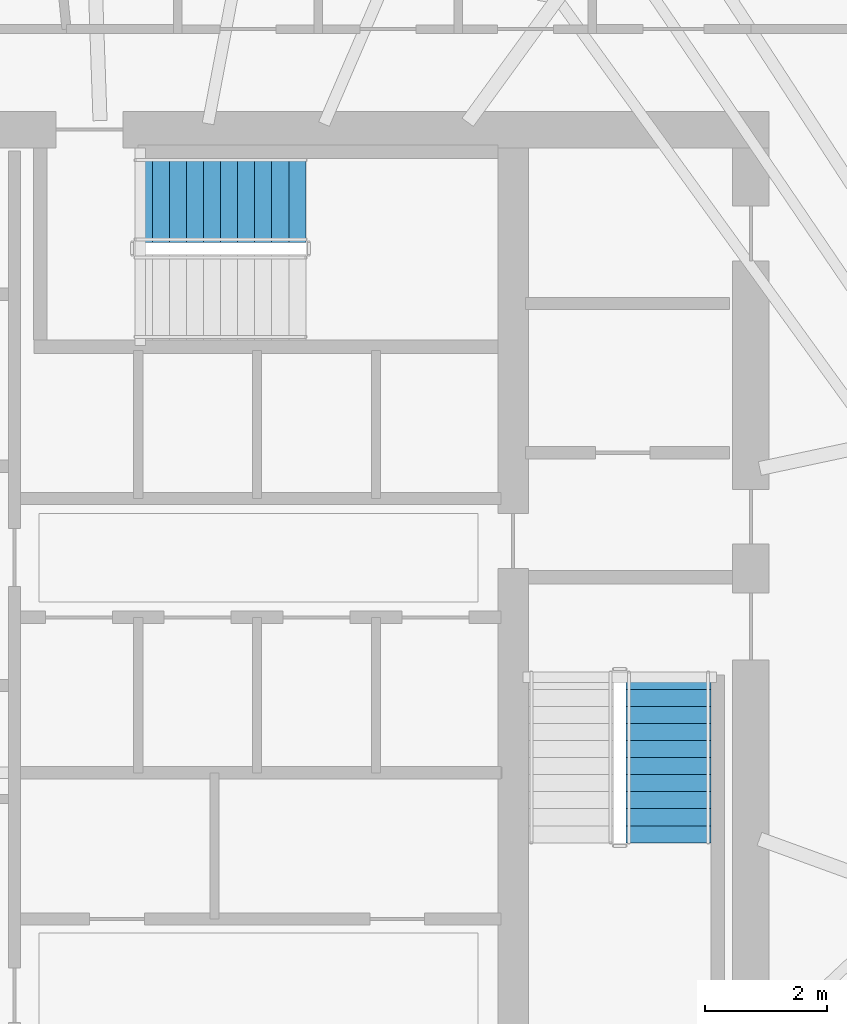
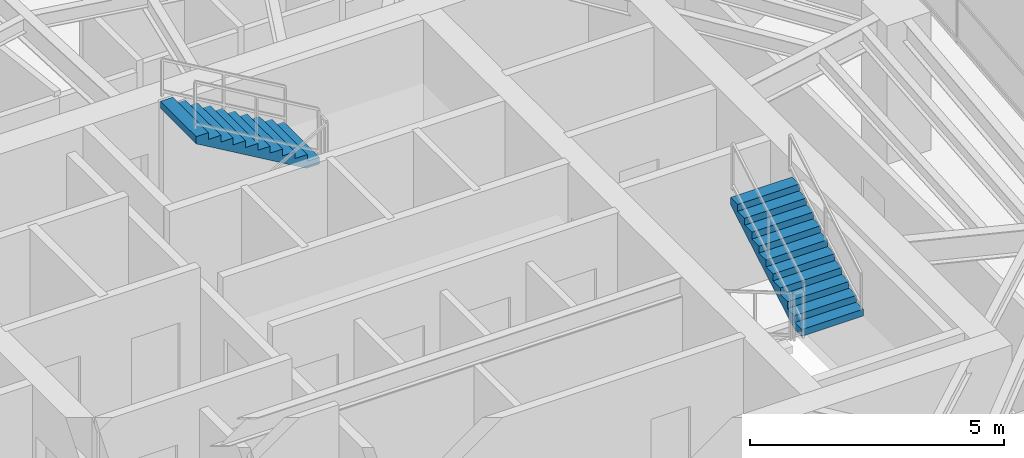
# One storey, part 19 of 21: 2 stair flights, 2 elements without a shape of their own.
"""IFC4 building model written with IfcOpenShell, lengths in metres."""

from ifc_helpers import new_model, si_unit, direction, frame, origin, place, context, subcontext, project, spatial, polyline, outline, extrude, material, type_object, element, aggregate, save


model = new_model("IFC4")

# Units and contexts
model_context = context("Model", 3, precision=1e-05, world=origin(), true_north=direction((0.0, 1.0)))
body_context = subcontext(model_context, "Body", "Model", "MODEL_VIEW")
ifc_project = project(units=[si_unit("LENGTHUNIT", "METRE"), si_unit("AREAUNIT", "SQUARE_METRE"), si_unit("VOLUMEUNIT", "CUBIC_METRE"), si_unit("PLANEANGLEUNIT", "RADIAN"), si_unit("MASSUNIT", "GRAM", prefix="KILO")], contexts=[model_context])

# Site, building, storey
site_placement = place(None, origin())
site = spatial("IfcSite", under=ifc_project, at=site_placement, CompositionType="ELEMENT")
building_placement = place(site_placement, origin())
building = spatial("IfcBuilding", under=site, at=building_placement, Name="Qarnah Convention Tower", CompositionType="ELEMENT")
storey_placement = place(building_placement, frame((0.0, 0.0, 165.300048828125)))
storey = spatial("IfcBuildingStorey", under=building, at=storey_placement, Name="L44", CompositionType="ELEMENT", Elevation=165.300048828125)

# Stair, stair flight
ifc_material = material(Name="Concrete C50/60", Category="concrete")
stair_type = type_object("IfcStairType", Name="STR-OFF", PredefinedType="HALF_TURN_STAIR", material=ifc_material)
stair_1_placement = place(storey_placement, origin())
stair_1 = element("IfcStair", 1, at=stair_1_placement, inside=storey, type_object=stair_type, Name="L44 Core exit stair ST-2", PredefinedType="HALF_TURN_STAIR")
stair_flight_type = type_object("IfcStairFlightType", Name="FLT-OFF", PredefinedType="STRAIGHT", material=ifc_material)
stair_flight_1_placement = place(storey_placement, frame((46.25, 22.5, 1.800048828125), z_axis=(0.0, 0.0, 1.0), x_axis=(0.0, 1.0, 0.0)))
stair_flight_1 = element("IfcStairFlight", 2, at=stair_flight_1_placement, type_object=stair_flight_type, Name="ST-2 flight 2", NumberOfRisers=11, NumberOfTreads=10, PredefinedType="STRAIGHT", RiserHeight=0.163636364, TreadLength=0.28, context=body_context, shape_type="SweptSolid", body=[
    extrude(outline(polyline([(0.0, 0.0), (0.0, 0.16357421875), (0.280029296875, 0.16357421875), (0.280029296875, 0.327392578125), (0.56005859375, 0.327392578125), (0.56005859375, 0.490966796875), (0.840087890625, 0.490966796875), (0.840087890625, 0.654541015625), (1.1201171875, 0.654541015625), (1.1201171875, 0.818115234375), (1.39990234375, 0.818115234375), (1.39990234375, 0.98193359375), (1.679931640625, 0.98193359375), (1.679931640625, 1.1455078125), (1.9599609375, 1.1455078125), (1.9599609375, 1.30908203125), (2.239990234375, 1.30908203125), (2.239990234375, 1.47265625), (2.52001953125, 1.47265625), (2.52001953125, 1.636474609375), (2.800048828125, 1.636474609375), (2.800048828125, 1.800048828125), (2.800048828125, 1.462646484375), (0.297119140625, 0.0), (0.0, 0.0)])), frame((0.0, 0.699951171875, 0.0), z_axis=(0.0, -1.0, 0.0), x_axis=(1.0, 0.0, 0.0)), (0.0, 0.0, 1.0), 1.39990234375),
])
aggregate(stair_1, [stair_flight_1])

stair_2_placement = place(storey_placement, origin())
stair_2 = element("IfcStair", 3, at=stair_2_placement, inside=storey, type_object=stair_type, Name="L44 Core exit stair ST-3", PredefinedType="HALF_TURN_STAIR")
stair_flight_2_placement = place(storey_placement, frame((40.300048828125, 33.050048828125, 1.800048828125), z_axis=(0.0, 0.0, 1.0), x_axis=(-1.0, 0.0, 0.0)))
stair_flight_2 = element("IfcStairFlight", 4, at=stair_flight_2_placement, type_object=stair_flight_type, Name="ST-3 flight 2", NumberOfRisers=11, NumberOfTreads=10, PredefinedType="STRAIGHT", RiserHeight=0.163636364, TreadLength=0.28, context=body_context, shape_type="SweptSolid", body=[
    extrude(outline(polyline([(0.0, 0.0), (0.0, 0.16357421875), (0.280029296875, 0.16357421875), (0.280029296875, 0.327392578125), (0.56005859375, 0.327392578125), (0.56005859375, 0.490966796875), (0.840087890625, 0.490966796875), (0.840087890625, 0.654541015625), (1.1201171875, 0.654541015625), (1.1201171875, 0.818115234375), (1.39990234375, 0.818115234375), (1.39990234375, 0.98193359375), (1.679931640625, 0.98193359375), (1.679931640625, 1.1455078125), (1.9599609375, 1.1455078125), (1.9599609375, 1.30908203125), (2.239990234375, 1.30908203125), (2.239990234375, 1.47265625), (2.52001953125, 1.47265625), (2.52001953125, 1.636474609375), (2.800048828125, 1.636474609375), (2.800048828125, 1.800048828125), (2.800048828125, 1.462646484375), (0.297119140625, 0.0), (0.0, 0.0)])), frame((0.0, 0.699951171875, 0.0), z_axis=(0.0, -1.0, 0.0), x_axis=(1.0, 0.0, 0.0)), (0.0, 0.0, 1.0), 1.39990234375),
])
aggregate(stair_2, [stair_flight_2])

save(model, "model.ifc")
